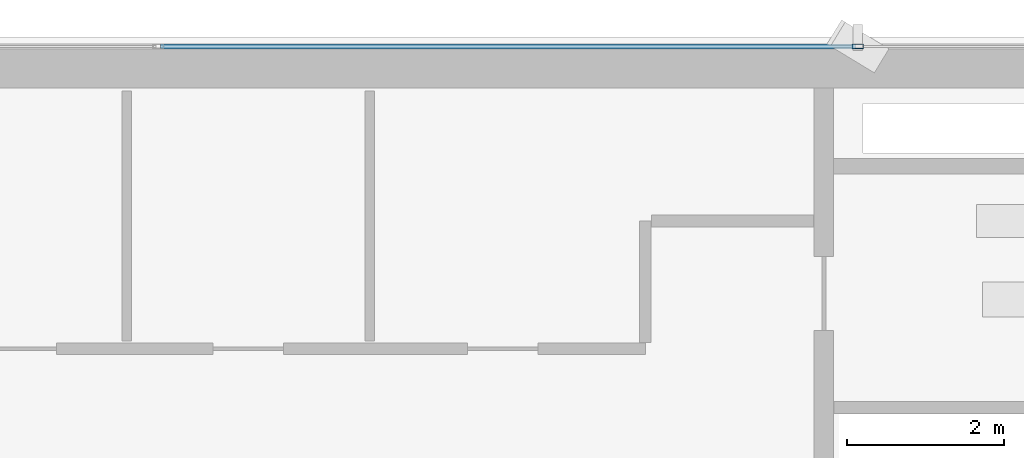
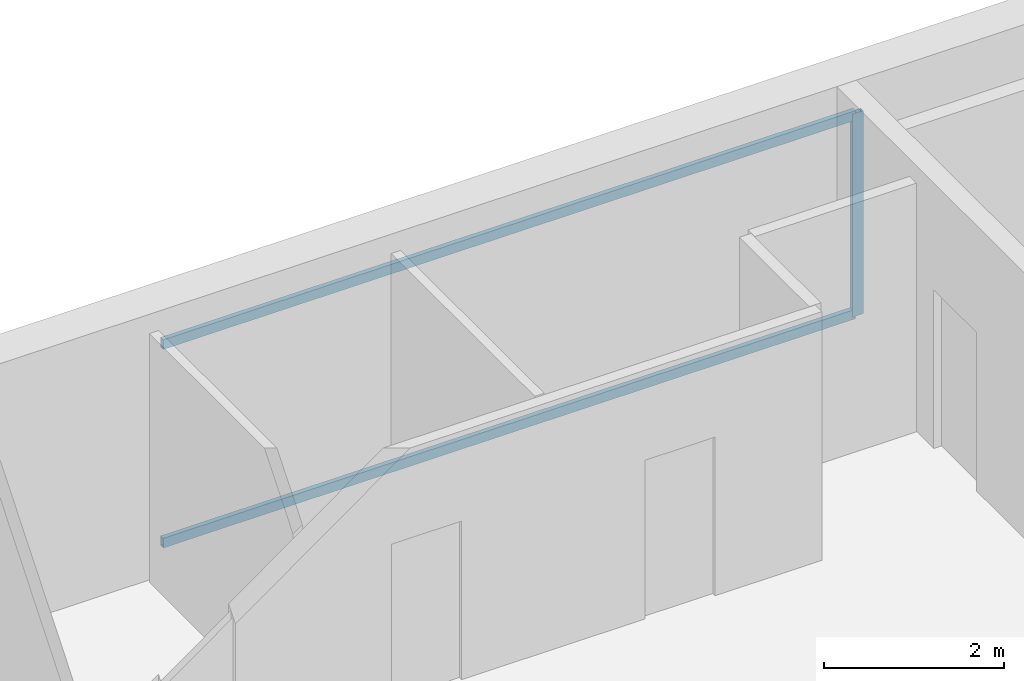
# One storey, part 17 of 27: 3 members, 1 element without a shape of its own.
"""IFC4 building model written with IfcOpenShell, lengths in metres."""

from ifc_helpers import new_model, si_unit, direction, frame, origin, origin_2d, place, context, subcontext, project, spatial, hollow_rectangle, extrude, source, transform, mapped, material, layer, layer_set, material_profile, profile_set, type_object, element, aggregate, save


model = new_model("IFC4")

# Units and contexts
model_context = context("Model", 3, precision=1e-05, world=origin(), true_north=direction((0.0, 1.0)))
body_context = subcontext(model_context, "Body", "Model", "MODEL_VIEW")
ifc_project = project(units=[si_unit("LENGTHUNIT", "METRE"), si_unit("AREAUNIT", "SQUARE_METRE"), si_unit("VOLUMEUNIT", "CUBIC_METRE"), si_unit("PLANEANGLEUNIT", "RADIAN"), si_unit("MASSUNIT", "GRAM", prefix="KILO")], contexts=[model_context])

# Site, building, storey
site_placement = place(None, origin())
site = spatial("IfcSite", under=ifc_project, at=site_placement, CompositionType="ELEMENT")
building_placement = place(site_placement, origin())
building = spatial("IfcBuilding", under=site, at=building_placement, Name="Sumidabori Civic Tower", CompositionType="ELEMENT")
storey_placement = place(building_placement, frame((0.0, 0.0, 257.60009765625)))
storey = spatial("IfcBuildingStorey", under=building, at=storey_placement, Name="L67", CompositionType="ELEMENT", Elevation=257.60009765625)

# Curtain wall, members
ifc_material = material(Name="Anodised Bronze Aluminium AW-6063-T6", Category="aluminium")
ifc_layer = layer(ifc_material, 0.179931640625, Name="Anodised Bronze Aluminium AW-6063-T6")
ifc_layer_set = layer_set([ifc_layer], Name="Anodised Bronze Aluminium AW-6063-T6")
curtain_wall_type = type_object("IfcCurtainWallType", Name="CW-SYS-5", PredefinedType="NOTDEFINED", material=ifc_layer_set)
curtain_wall_placement = place(storey_placement, origin())
curtain_wall = element("IfcCurtainWall", 1, at=curtain_wall_placement, inside=storey, type_object=curtain_wall_type, Name="Curtain Wall CW:L67:R07", PredefinedType="NOTDEFINED")
ifc_material_profile_1 = material_profile(ifc_material, hollow_rectangle(XDim=0.06005859375, YDim=0.139892578125, WallThickness=0.0048828125, at=origin_2d()), Name="ALU MULLION 140x60")
ifc_profile_set_1 = profile_set([ifc_material_profile_1], Name="Anodised Bronze Aluminium AW-6063-T6")
member_type_1 = type_object("IfcMemberType", Name="CW-MUL-140", PredefinedType="MULLION", material=ifc_profile_set_1)
shared_shape_1 = source(origin(), body_context, "Body", "SweptSolid", [
    extrude(hollow_rectangle(XDim=0.06005859375, YDim=0.139892578125, WallThickness=0.0048828125, at=origin_2d()), origin(), (0.0, 0.0, 1.0), 2.75),
])
member_1_placement = place(storey_placement, frame((8.93505859375, 24.080078125, 0.0), z_axis=(0.0, 0.0, 1.0), x_axis=(0.0, -1.0, 0.0)))
member_1 = element("IfcMember", 2, at=member_1_placement, type_object=member_type_1, Name="CW-5 mullion 2", PredefinedType="MULLION", context=body_context, shape_type="MappedRepresentation", body=[
    mapped(shared_shape_1, transform((0.0, 0.0, 0.0), x_axis=(1.0, 0.0, 0.0), y_axis=(0.0, 1.0, 0.0), z_axis=(0.0, 0.0, 1.0), scale=1.0)),
])
ifc_material_profile_2 = material_profile(ifc_material, hollow_rectangle(XDim=0.06005859375, YDim=0.1298828125, WallThickness=0.0048828125, at=origin_2d()), Name="ALU TRANSOM 130x60")
ifc_profile_set_2 = profile_set([ifc_material_profile_2], Name="Anodised Bronze Aluminium AW-6063-T6")
member_type_2 = type_object("IfcMemberType", Name="CW-TRN-130", PredefinedType="USERDEFINED", material=ifc_profile_set_2)
shared_shape_2 = source(origin(), body_context, "Body", "SweptSolid", [
    extrude(hollow_rectangle(XDim=0.06005859375, YDim=0.1298828125, WallThickness=0.0048828125, at=origin_2d()), origin(), (0.0, 0.0, 1.0), 8.875),
])
member_2_placement = place(storey_placement, frame((8.905029296875, 24.080078125, 0.02978515625), z_axis=(-1.0, 0.0, 0.0), x_axis=(0.0, -1.0, 0.0)))
member_2 = element("IfcMember", 3, at=member_2_placement, type_object=member_type_2, Name="CW-5 transom 2.1", ObjectType="TRANSOM", PredefinedType="USERDEFINED", context=body_context, shape_type="MappedRepresentation", body=[
    mapped(shared_shape_2, transform((0.0, 0.0, 0.0), x_axis=(1.0, 0.0, 0.0), y_axis=(0.0, 1.0, 0.0), z_axis=(0.0, 0.0, 1.0), scale=1.0)),
])
member_3_placement = place(storey_placement, frame((8.905029296875, 24.080078125, 2.719970703125), z_axis=(-1.0, 0.0, 0.0), x_axis=(0.0, -1.0, 0.0)))
member_3 = element("IfcMember", 4, at=member_3_placement, type_object=member_type_2, Name="CW-5 transom 2.2", ObjectType="TRANSOM", PredefinedType="USERDEFINED", context=body_context, shape_type="MappedRepresentation", body=[
    mapped(shared_shape_2, transform((0.0, 0.0, 0.0), x_axis=(1.0, 0.0, 0.0), y_axis=(0.0, 1.0, 0.0), z_axis=(0.0, 0.0, 1.0), scale=1.0)),
])
aggregate(curtain_wall, [member_1, member_2, member_3])

save(model, "model.ifc")
